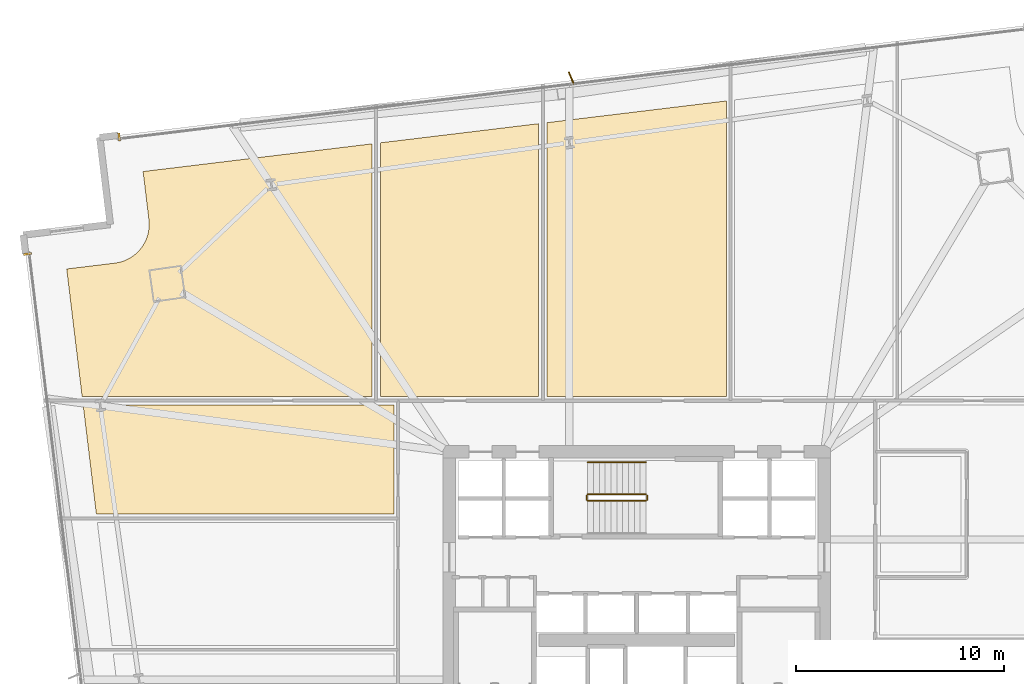
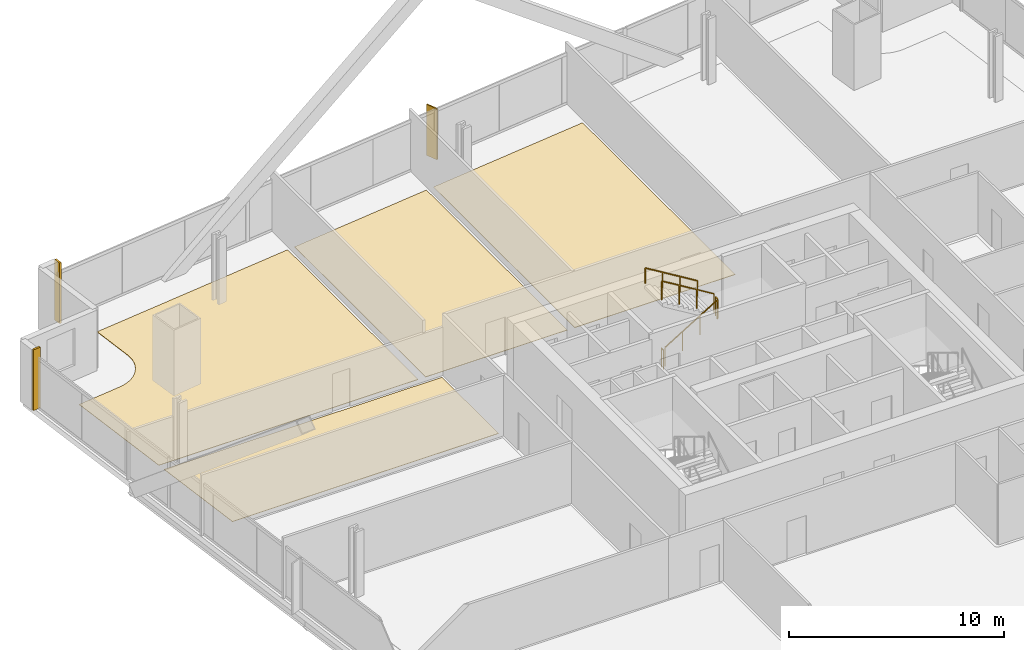
# One storey, part 32 of 33: 6 coverings, 5 railings, 1 shading device.
"""IFC4 building model written with IfcOpenShell, lengths in metres."""

from ifc_helpers import new_model, si_unit, direction, frame, origin, origin_2d, place, context, subcontext, project, spatial, polyline, rectangle, outline, extrude, source, transform, mapped, material, layer, layer_set, type_object, element, save


model = new_model("IFC4")

# Units and contexts
model_context = context("Model", 3, precision=1e-05, world=origin(), true_north=direction((0.0, 1.0)))
body_context = subcontext(model_context, "Body", "Model", "MODEL_VIEW")
ifc_project = project(units=[si_unit("LENGTHUNIT", "METRE"), si_unit("AREAUNIT", "SQUARE_METRE"), si_unit("VOLUMEUNIT", "CUBIC_METRE"), si_unit("PLANEANGLEUNIT", "RADIAN"), si_unit("MASSUNIT", "GRAM", prefix="KILO")], contexts=[model_context])

# Site, building, storey
site_placement = place(None, origin())
site = spatial("IfcSite", under=ifc_project, at=site_placement, CompositionType="ELEMENT")
building_placement = place(site_placement, origin())
building = spatial("IfcBuilding", under=site, at=building_placement, Name="Haldenkirk Collegiate Tower", CompositionType="ELEMENT")
storey_placement = place(building_placement, frame((0.0, 0.0, 51.449951171875)))
storey = spatial("IfcBuildingStorey", under=building, at=storey_placement, Name="L11", CompositionType="ELEMENT", Elevation=51.449951171875)

# Coverings
ifc_material_1 = material(Name="Polished collegiate terrazzo", Category="concrete")
ifc_layer_1 = layer(ifc_material_1, 0.02490234375)
ifc_layer_set_1 = layer_set([ifc_layer_1], Name="Polished collegiate terrazzo")
covering_type_1 = type_object("IfcCoveringType", Name="COV-FLOOR-TERRAZZO", PredefinedType="FLOORING", material=ifc_layer_set_1)
covering_1_placement = place(storey_placement, origin())
element("IfcCovering", 1, at=covering_1_placement, inside=storey, type_object=covering_type_1, Name="L11 academic room finish 04", PredefinedType="FLOORING", context=body_context, shape_type="SweptSolid", body=[
    extrude(outline(polyline([(10.970703125, 43.046630859375), (10.9765625, 43.04736328125), (11.145751953125, 43.076416015625), (11.157470703125, 43.078857421875), (11.322998046875, 43.12451171875), (11.333984375, 43.1279296875), (11.494384765625, 43.189453125), (11.50537109375, 43.194091796875), (11.658935546875, 43.27099609375), (11.669189453125, 43.27685546875), (11.814453125, 43.368408203125), (11.82421875, 43.375244140625), (11.959716796875, 43.480712890625), (11.968505859375, 43.48828125), (12.09326171875, 43.606201171875), (12.1015625, 43.61474609375), (12.2138671875, 43.74462890625), (12.22119140625, 43.75390625), (12.3203125, 43.89404296875), (12.32666015625, 43.904052734375), (12.41162109375, 44.05322265625), (12.4169921875, 44.063720703125), (12.487060546875, 44.220458984375), (12.4912109375, 44.2314453125), (12.54541015625, 44.39453125), (12.548583984375, 44.40576171875), (12.586669921875, 44.5732421875), (12.588623046875, 44.584716796875), (12.610107421875, 44.755126953125), (12.611083984375, 44.76708984375), (12.61572265625, 44.938720703125), (12.615478515625, 44.950439453125), (12.60302734375, 45.121826171875), (12.6025390625, 45.127685546875), (12.322509765625, 47.44091796875), (23.300048828125, 48.769287109375), (23.300048828125, 36.64990234375), (9.39794921875, 36.64990234375), (8.65771484375, 42.7666015625), (10.970703125, 43.046630859375)])), origin(), (0.0, 0.0, 1.0), 0.025146484375),
])
covering_2_placement = place(storey_placement, origin())
element("IfcCovering", 2, at=covering_2_placement, inside=storey, type_object=covering_type_1, Name="L11 academic room finish 06", PredefinedType="FLOORING", context=body_context, shape_type="SweptSolid", body=[
    extrude(outline(polyline([(40.300048828125, 50.826416015625), (40.300048828125, 36.64990234375), (31.699951171875, 36.64990234375), (31.699951171875, 49.78564453125), (40.300048828125, 50.826416015625)])), origin(), (0.0, 0.0, 1.0), 0.025146484375),
])
ifc_material_2 = material(Name="Engineered collegiate oak acoustic flooring", Category="wood")
ifc_layer_2 = layer(ifc_material_2, 0.02197265625)
ifc_layer_set_2 = layer_set([ifc_layer_2], Name="Engineered collegiate oak acoustic flooring")
covering_type_2 = type_object("IfcCoveringType", Name="COV-FLOOR-TIMBER", PredefinedType="FLOORING", material=ifc_layer_set_2)
covering_3_placement = place(storey_placement, origin())
element("IfcCovering", 3, at=covering_3_placement, inside=storey, type_object=covering_type_2, Name="L11 academic room finish 05", PredefinedType="FLOORING", context=body_context, shape_type="SweptSolid", body=[
    extrude(outline(polyline([(31.300048828125, 49.7373046875), (31.300048828125, 36.64990234375), (23.699951171875, 36.64990234375), (23.699951171875, 48.8173828125), (31.300048828125, 49.7373046875)])), origin(), (0.0, 0.0, 1.0), 0.02197265625),
])
covering_4_placement = place(storey_placement, origin())
element("IfcCovering", 4, at=covering_4_placement, inside=storey, type_object=covering_type_2, Name="L11 academic room finish 11", PredefinedType="FLOORING", context=body_context, shape_type="SweptSolid", body=[
    extrude(outline(polyline([(9.4462890625, 36.25), (24.35009765625, 36.25), (24.35009765625, 31.0), (10.081787109375, 31.0), (9.4462890625, 36.25)])), origin(), (0.0, 0.0, 1.0), 0.02197265625),
])

# Railings
ifc_material_3 = material(Name="Painted architectural tubular steel", Category="steel")
railing_type_1 = type_object("IfcRailingType", Name="RLG-STAIR-GUARD-1100", PredefinedType="BALUSTRADE", material=ifc_material_3)
railing_1_placement = place(storey_placement, frame((33.64990234375, 31.64990234375, 0.17041015625)))
element("IfcRailing", 5, at=railing_1_placement, inside=storey, type_object=railing_type_1, Name="L11 ST-3 stair guard 1", PredefinedType="BALUSTRADE", context=body_context, shape_type="SweptSolid", body=[
    extrude(rectangle(XDim=0.048095703125, YDim=0.048095703125, at=origin_2d()), frame((0.0, 0.0, 1.076171875), z_axis=(0.854169791009, 0.0, 0.51999420009), x_axis=(0.0, 1.0, 0.0)), (0.0, 0.0, 1.0), 3.278076171875),
    extrude(rectangle(XDim=0.0419921875, YDim=0.0419921875, at=origin_2d()), origin(), (0.0, 0.0, 1.0), 1.052001953125),
    extrude(rectangle(XDim=0.0419921875, YDim=0.0419921875, at=origin_2d()), frame((0.933349609375, 0.0, 0.568115234375)), (0.0, 0.0, 1.0), 1.052001953125),
    extrude(rectangle(XDim=0.0419921875, YDim=0.0419921875, at=origin_2d()), frame((1.86669921875, 0.0, 1.136474609375)), (0.0, 0.0, 1.0), 1.052001953125),
    extrude(rectangle(XDim=0.0419921875, YDim=0.0419921875, at=origin_2d()), frame((2.800048828125, 0.0, 1.70458984375)), (0.0, 0.0, 1.0), 1.052001953125),
])
railing_2_placement = place(storey_placement, frame((36.5, 31.699951171875, 1.875)))
element("IfcRailing", 6, at=railing_2_placement, inside=storey, type_object=railing_type_1, Name="L11 ST-3 stair guard 2", PredefinedType="BALUSTRADE", context=body_context, shape_type="SweptSolid", body=[
    extrude(rectangle(XDim=0.048095703125, YDim=0.048095703125, at=origin_2d()), frame((0.0, 0.0, 1.076171875), z_axis=(0.0, 1.0, 0.0), x_axis=(-1.0, 0.0, 0.0)), (0.0, 0.0, 1.0), 0.199951171875),
    extrude(rectangle(XDim=0.0419921875, YDim=0.0419921875, at=origin_2d()), origin(), (0.0, 0.0, 1.0), 1.052001953125),
    extrude(rectangle(XDim=0.0419921875, YDim=0.0419921875, at=origin_2d()), frame((0.0, 0.199951171875, 0.0)), (0.0, 0.0, 1.0), 1.052001953125),
])
railing_3_placement = place(storey_placement, frame((36.449951171875, 31.949951171875, 2.04541015625)))
element("IfcRailing", 7, at=railing_3_placement, inside=storey, type_object=railing_type_1, Name="L11 ST-3 stair guard 3", PredefinedType="BALUSTRADE", context=body_context, shape_type="SweptSolid", body=[
    extrude(rectangle(XDim=0.048095703125, YDim=0.048095703125, at=origin_2d()), frame((0.0, 0.0, 1.076171875), z_axis=(-0.854169791009, 0.0, 0.51999420009), x_axis=(0.0, -1.0, 0.0)), (0.0, 0.0, 1.0), 3.278076171875),
    extrude(rectangle(XDim=0.0419921875, YDim=0.0419921875, at=origin_2d()), origin(), (0.0, 0.0, 1.0), 1.052001953125),
    extrude(rectangle(XDim=0.0419921875, YDim=0.0419921875, at=origin_2d()), frame((-0.933349609375, 0.0, 0.568115234375)), (0.0, 0.0, 1.0), 1.052001953125),
    extrude(rectangle(XDim=0.0419921875, YDim=0.0419921875, at=origin_2d()), frame((-1.86669921875, 0.0, 1.136474609375)), (0.0, 0.0, 1.0), 1.052001953125),
    extrude(rectangle(XDim=0.0419921875, YDim=0.0419921875, at=origin_2d()), frame((-2.800048828125, 0.0, 1.70458984375)), (0.0, 0.0, 1.0), 1.052001953125),
])
railing_4_placement = place(storey_placement, frame((33.60009765625, 31.699951171875, 0.0)))
element("IfcRailing", 8, at=railing_4_placement, inside=storey, type_object=railing_type_1, Name="L11 ST-3 stair guard 4", PredefinedType="BALUSTRADE", context=body_context, shape_type="SweptSolid", body=[
    extrude(rectangle(XDim=0.048095703125, YDim=0.048095703125, at=origin_2d()), frame((0.0, 0.0, 1.076171875), z_axis=(0.0, 1.0, 0.0), x_axis=(-1.0, 0.0, 0.0)), (0.0, 0.0, 1.0), 0.199951171875),
    extrude(rectangle(XDim=0.0419921875, YDim=0.0419921875, at=origin_2d()), origin(), (0.0, 0.0, 1.0), 1.052001953125),
    extrude(rectangle(XDim=0.0419921875, YDim=0.0419921875, at=origin_2d()), frame((0.0, 0.199951171875, 0.0)), (0.0, 0.0, 1.0), 1.052001953125),
])
railing_type_2 = type_object("IfcRailingType", Name="RLG-STAIR-HANDRAIL-900", PredefinedType="HANDRAIL", material=ifc_material_3)
railing_5_placement = place(storey_placement, frame((36.449951171875, 33.5, 2.04541015625)))
element("IfcRailing", 9, at=railing_5_placement, inside=storey, type_object=railing_type_2, Name="L11 ST-3 stair handrail 2", PredefinedType="HANDRAIL", context=body_context, shape_type="SweptSolid", body=[
    extrude(rectangle(XDim=0.048095703125, YDim=0.048095703125, at=origin_2d()), frame((0.0, 0.0, 0.8759765625), z_axis=(-0.854169791009, 0.0, 0.51999420009), x_axis=(0.0, -1.0, 0.0)), (0.0, 0.0, 1.0), 3.278076171875),
    extrude(rectangle(XDim=0.0419921875, YDim=0.0419921875, at=origin_2d()), origin(), (0.0, 0.0, 1.0), 0.851806640625),
    extrude(rectangle(XDim=0.0419921875, YDim=0.0419921875, at=origin_2d()), frame((-0.933349609375, 0.0, 0.568115234375)), (0.0, 0.0, 1.0), 0.851806640625),
    extrude(rectangle(XDim=0.0419921875, YDim=0.0419921875, at=origin_2d()), frame((-1.86669921875, 0.0, 1.136474609375)), (0.0, 0.0, 1.0), 0.851806640625),
    extrude(rectangle(XDim=0.0419921875, YDim=0.0419921875, at=origin_2d()), frame((-2.800048828125, 0.0, 1.70458984375)), (0.0, 0.0, 1.0), 0.851806640625),
])

# Coverings
ifc_material_4 = material(Name="Anodised architectural bronze aluminium", Category="aluminium")
ifc_layer_3 = layer(ifc_material_4, 0.06005859375)
ifc_layer_set_3 = layer_set([ifc_layer_3], Name="Anodised architectural bronze aluminium")
covering_type_3 = type_object("IfcCoveringType", Name="COV-CLAD-BRONZE-60", PredefinedType="CLADDING", material=ifc_layer_set_3)
shared_shape_1 = source(origin(), body_context, "Body", "SweptSolid", [
    extrude(rectangle(XDim=0.10009765625, YDim=0.3798828125, at=origin_2d()), origin(), (0.0, 0.0, 1.0), 3.43994140625),
])
for number, where, z_axis, x_axis, name in (
    (10, (11.17578125, 49.094970703125, 0.0), (0.0, 0.0, 1.0), (0.992757341929, 0.120136838835, 0.0), "L11 recessed curtain-wall bronze jamb closure NJL"),
    (11, (6.777587890625, 43.48583984375, 0.0), (0.0, 0.0, 1.0), (-0.120136838835, 0.992757341929, 0.0), "L11 recessed curtain-wall bronze jamb closure WJR"),
):
    element("IfcCovering", number, at=place(storey_placement, frame(where, z_axis=z_axis, x_axis=x_axis)), inside=storey, type_object=covering_type_3, Name=name, PredefinedType="CLADDING", context=body_context, shape_type="MappedRepresentation", body=[
        mapped(shared_shape_1, transform((0.0, 0.0, 0.0), x_axis=(1.0, 0.0, 0.0), y_axis=(0.0, 1.0, 0.0), z_axis=(0.0, 0.0, 1.0), scale=1.0)),
    ])

# Shading device
ifc_layer_4 = layer(ifc_material_4, 0.06494140625)
ifc_layer_set_4 = layer_set([ifc_layer_4], Name="Anodised architectural bronze aluminium")
shading_device_type = type_object("IfcShadingDeviceType", Name="SHD-FIN-BRONZE-620", PredefinedType="USERDEFINED", material=ifc_layer_set_4)
shared_shape_2 = source(origin(), body_context, "Body", "SweptSolid", [
    extrude(rectangle(XDim=0.6201171875, YDim=0.06494140625, at=origin_2d()), origin(), (0.0, 0.0, 1.0), 2.89111328125),
])
shading_device_placement = place(storey_placement, frame((32.862548828125, 51.92578125, 0.0), z_axis=(0.0, 0.0, 1.0), x_axis=(-0.38912395014, 0.921185405566, 0.0)))
element("IfcShadingDevice", 12, at=shading_device_placement, inside=storey, type_object=shading_device_type, Name="L11 folded bronze solar fin 1", ObjectType="FIN", PredefinedType="USERDEFINED", context=body_context, shape_type="MappedRepresentation", body=[
    mapped(shared_shape_2, transform((0.0, 0.0, 0.0), x_axis=(1.0, 0.0, 0.0), y_axis=(0.0, 1.0, 0.0), z_axis=(0.0, 0.0, 1.0), scale=1.0)),
])

save(model, "model.ifc")
